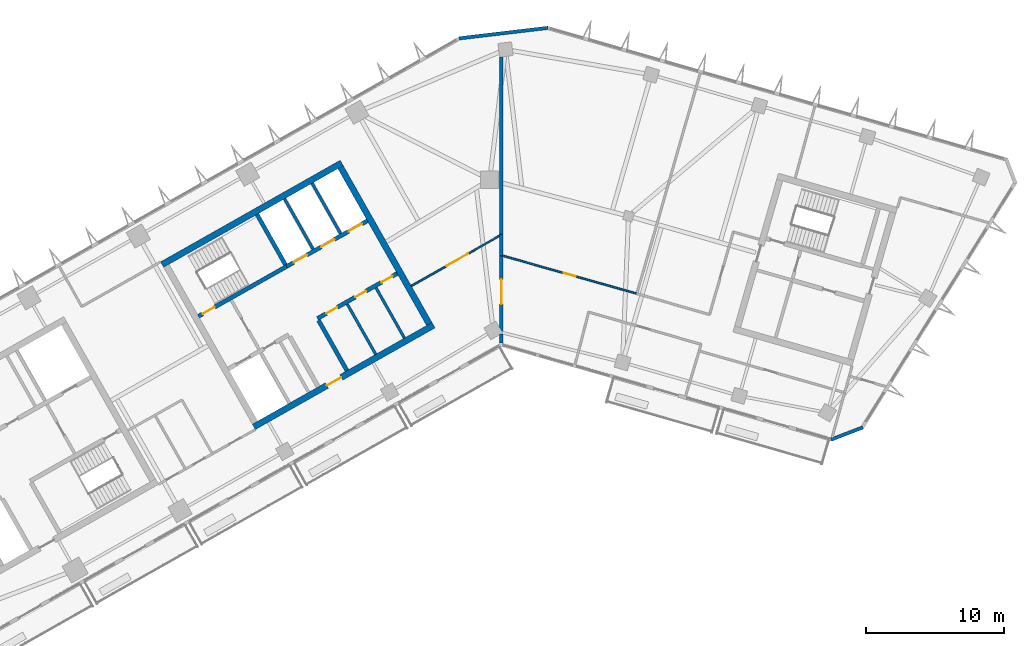
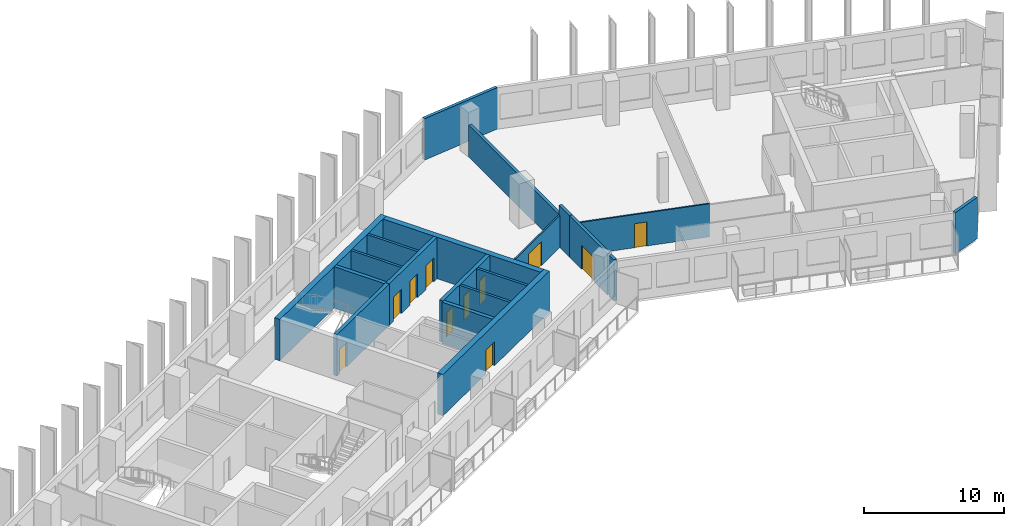
# One storey, part 6 of 12: 20 walls, 11 doors, 11 openings.
"""IFC4 building model written with IfcOpenShell, lengths in metres."""

from ifc_helpers import new_model, si_unit, direction, frame, frame_2d, origin, place, context, subcontext, project, spatial, rectangle, extrude, material, layer, layer_set, type_object, element, fill, save


model = new_model("IFC4")

# Units and contexts
model_context = context("Model", 3, precision=1e-05, world=origin(), true_north=direction((0.0, 1.0)))
body_context = subcontext(model_context, "Body", "Model", "MODEL_VIEW")
ifc_project = project(units=[si_unit("LENGTHUNIT", "METRE"), si_unit("AREAUNIT", "SQUARE_METRE"), si_unit("VOLUMEUNIT", "CUBIC_METRE"), si_unit("PLANEANGLEUNIT", "RADIAN"), si_unit("MASSUNIT", "GRAM", prefix="KILO")], contexts=[model_context])

# Site, building, storey
site_placement = place(None, origin())
site = spatial("IfcSite", under=ifc_project, at=site_placement, CompositionType="ELEMENT")
building_placement = place(site_placement, origin())
building = spatial("IfcBuilding", under=site, at=building_placement, Name="Binnacle Exchange Tower", CompositionType="ELEMENT")
storey_placement = place(building_placement, frame((0.0, 0.0, 246.5)))
storey = spatial("IfcBuildingStorey", under=building, at=storey_placement, Name="L54", CompositionType="ELEMENT", Elevation=246.5)

# Walls
ifc_material_1 = material(Name="Gypsum partition fire rated")
ifc_layer_1 = layer(ifc_material_1, 0.199951171875)
ifc_layer_set_1 = layer_set([ifc_layer_1], Name="Core partition 200")
wall_type_1 = type_object("IfcWallType", Name="Core partition 200", PredefinedType="PARTITIONING", material=ifc_layer_set_1)
wall_1_placement = place(storey_placement, frame((-11.201904296875, 50.96240234375, 0.0), z_axis=(0.0, 0.0, 1.0), x_axis=(0.492453686477, -0.870338650569, 0.0)))
element("IfcWall", 1, at=wall_1_placement, inside=storey, type_object=wall_type_1, Name="Core wall CRWC19", PredefinedType="PARTITIONING", context=body_context, shape_type="SweptSolid", body=[
    extrude(rectangle(XDim=4.2001953125, YDim=0.199951171875, at=frame_2d((2.10009765625, 0.0))), origin(), (0.0, 0.0, 1.0), 3.6201171875),
])
wall_2_placement = place(storey_placement, frame((-9.11279296875, 52.14404296875, 0.0), z_axis=(0.0, 0.0, 1.0), x_axis=(0.492365617434, -0.870388475779, 0.0)))
element("IfcWall", 2, at=wall_2_placement, inside=storey, type_object=wall_type_1, Name="Core wall CRWC22", PredefinedType="PARTITIONING", context=body_context, shape_type="SweptSolid", body=[
    extrude(rectangle(XDim=4.199951171875, YDim=0.199951171875, at=frame_2d((2.10009765625, 0.0))), origin(), (0.0, 0.0, 1.0), 3.6201171875),
])

# Wall, openings, doors
ifc_material_2 = material(Name="Concrete C70/85", Category="concrete")
ifc_layer_2 = layer(ifc_material_2, 0.300048828125)
ifc_layer_set_2 = layer_set([ifc_layer_2], Name="Core wall - front 300")
wall_type_2 = type_object("IfcWallType", Name="Core wall - front 300", PredefinedType="SOLIDWALL", material=ifc_layer_set_2)
wall_3_placement = place(storey_placement, frame((-13.364501953125, 49.910888671875, 0.0), z_axis=(0.0, 0.0, 1.0), x_axis=(0.870352159619, 0.492429810477, 0.0)))
wall_3 = element("IfcWall", 3, at=wall_3_placement, inside=storey, type_object=wall_type_2, Name="Core wall CRWC3", PredefinedType="SOLIDWALL", context=body_context, shape_type="SweptSolid", body=[
    extrude(rectangle(XDim=6.64990234375, YDim=0.300048828125, at=frame_2d((3.324951171875, 0.0))), origin(), (0.0, 0.0, 1.0), 3.6201171875),
])
opening_1_placement = place(wall_3_placement, frame((0.75, 0.0, 0.0)))
opening_1 = element("IfcOpeningElement", 4, at=opening_1_placement, cuts=wall_3, Name="Opening DC18", PredefinedType="OPENING", context=body_context, shape_type="SweptSolid", body=[
    extrude(rectangle(XDim=0.89990234375, YDim=2.10009765625, at=frame_2d((0.449951171875, 1.050048828125))), frame((0.0, 0.159912109375, 0.0), z_axis=(0.0, -1.0, 0.0), x_axis=(1.0, 0.0, 0.0)), (0.0, 0.0, 1.0), 0.320068359375),
])
opening_2_placement = place(wall_3_placement, frame((3.14990234375, 0.0, 0.0)))
opening_2 = element("IfcOpeningElement", 5, at=opening_2_placement, cuts=wall_3, Name="Opening DC19", PredefinedType="OPENING", context=body_context, shape_type="SweptSolid", body=[
    extrude(rectangle(XDim=0.89990234375, YDim=2.10009765625, at=frame_2d((0.449951171875, 1.050048828125))), frame((0.0, 0.159912109375, 0.0), z_axis=(0.0, -1.0, 0.0), x_axis=(1.0, 0.0, 0.0)), (0.0, 0.0, 1.0), 0.320068359375),
])
opening_3_placement = place(wall_3_placement, frame((5.35009765625, 0.0, 0.0)))
opening_3 = element("IfcOpeningElement", 6, at=opening_3_placement, cuts=wall_3, Name="Opening DC20", PredefinedType="OPENING", context=body_context, shape_type="SweptSolid", body=[
    extrude(rectangle(XDim=0.89990234375, YDim=2.10009765625, at=frame_2d((0.449951171875, 1.050048828125))), frame((0.0, 0.159912109375, 0.0), z_axis=(0.0, -1.0, 0.0), x_axis=(1.0, 0.0, 0.0)), (0.0, 0.0, 1.0), 0.320068359375),
])
ifc_material_3 = material(Name="Steel door leaf", Category="steel")
door_type_1 = type_object("IfcDoorType", Name="Fire door 900", OperationType="NOTDEFINED", PredefinedType="DOOR", material=ifc_material_3)
door_1_placement = place(opening_1_placement, frame((0.89990234375, 0.0, 0.0), z_axis=(0.0, 0.0, 1.0), x_axis=(-1.0, 0.0, 0.0)))
door_1 = element("IfcDoor", 7, at=door_1_placement, inside=storey, type_object=door_type_1, Name="Core room door IT STORE", OperationType="SINGLE_SWING_RIGHT", OverallHeight=2.10009765625, OverallWidth=0.89990234375, PredefinedType="DOOR", context=body_context, shape_type="SweptSolid", body=[
    extrude(rectangle(XDim=0.89990234375, YDim=2.10009765625, at=frame_2d((0.449951171875, 1.050048828125))), frame((0.0, 0.02490234375, 0.0), z_axis=(0.0, -1.0, 0.0), x_axis=(1.0, 0.0, 0.0)), (0.0, 0.0, 1.0), 0.050048828125),
])
fill(opening_1, door_1)
door_2_placement = place(opening_2_placement, frame((0.89990234375, 0.0, 0.0), z_axis=(0.0, 0.0, 1.0), x_axis=(-1.0, 0.0, 0.0)))
door_2 = element("IfcDoor", 8, at=door_2_placement, inside=storey, type_object=door_type_1, Name="Core room door UPS CUPBOARD", OperationType="SINGLE_SWING_LEFT", OverallHeight=2.10009765625, OverallWidth=0.89990234375, PredefinedType="DOOR", context=body_context, shape_type="SweptSolid", body=[
    extrude(rectangle(XDim=0.89990234375, YDim=2.10009765625, at=frame_2d((0.449951171875, 1.050048828125))), frame((0.0, 0.02490234375, 0.0), z_axis=(0.0, -1.0, 0.0), x_axis=(1.0, 0.0, 0.0)), (0.0, 0.0, 1.0), 0.050048828125),
])
fill(opening_2, door_2)
door_3_placement = place(opening_3_placement, frame((0.89990234375, 0.0, 0.0), z_axis=(0.0, 0.0, 1.0), x_axis=(-1.0, 0.0, 0.0)))
door_3 = element("IfcDoor", 9, at=door_3_placement, inside=storey, type_object=door_type_1, Name="Core room door FIBRE ENTRY ROOM", OperationType="SINGLE_SWING_LEFT", OverallHeight=2.10009765625, OverallWidth=0.89990234375, PredefinedType="DOOR", context=body_context, shape_type="SweptSolid", body=[
    extrude(rectangle(XDim=0.89990234375, YDim=2.10009765625, at=frame_2d((0.449951171875, 1.050048828125))), frame((0.0, 0.02490234375, 0.0), z_axis=(0.0, -1.0, 0.0), x_axis=(1.0, 0.0, 0.0)), (0.0, 0.0, 1.0), 0.050048828125),
])
fill(opening_3, door_3)

wall_4_placement = place(storey_placement, frame((-15.6181640625, 53.69140625, 0.0), z_axis=(0.0, 0.0, 1.0), x_axis=(0.870358646884, 0.492418344291, 0.0)))
wall_4 = element("IfcWall", 10, at=wall_4_placement, inside=storey, type_object=wall_type_2, Name="Core wall CRWC5", PredefinedType="SOLIDWALL", context=body_context, shape_type="SweptSolid", body=[
    extrude(rectangle(XDim=6.749755859375, YDim=0.300048828125, at=frame_2d((3.375, 0.0))), origin(), (0.0, 0.0, 1.0), 3.6201171875),
])
opening_4_placement = place(wall_4_placement, frame((0.60009765625, 0.0, 0.0)))
opening_4 = element("IfcOpeningElement", 11, at=opening_4_placement, cuts=wall_4, Name="Opening LD5", PredefinedType="OPENING", context=body_context, shape_type="SweptSolid", body=[
    extrude(rectangle(XDim=1.10009765625, YDim=2.10009765625, at=frame_2d((0.550048828125, 1.050048828125))), frame((0.0, 0.159912109375, 0.0), z_axis=(0.0, -1.0, 0.0), x_axis=(1.0, 0.0, 0.0)), (0.0, 0.0, 1.0), 0.320068359375),
])
opening_5_placement = place(wall_4_placement, frame((2.89990234375, 0.0, 0.0)))
opening_5 = element("IfcOpeningElement", 12, at=opening_5_placement, cuts=wall_4, Name="Opening LD6", PredefinedType="OPENING", context=body_context, shape_type="SweptSolid", body=[
    extrude(rectangle(XDim=1.10009765625, YDim=2.10009765625, at=frame_2d((0.550048828125, 1.050048828125))), frame((0.0, 0.159912109375, 0.0), z_axis=(0.0, -1.0, 0.0), x_axis=(1.0, 0.0, 0.0)), (0.0, 0.0, 1.0), 0.320068359375),
])
opening_6_placement = place(wall_4_placement, frame((5.199951171875, 0.0, 0.0)))
opening_6 = element("IfcOpeningElement", 13, at=opening_6_placement, cuts=wall_4, Name="Opening LD7", PredefinedType="OPENING", context=body_context, shape_type="SweptSolid", body=[
    extrude(rectangle(XDim=1.10009765625, YDim=2.10009765625, at=frame_2d((0.550048828125, 1.050048828125))), frame((0.0, 0.159912109375, 0.0), z_axis=(0.0, -1.0, 0.0), x_axis=(1.0, 0.0, 0.0)), (0.0, 0.0, 1.0), 0.320068359375),
])
door_type_2 = type_object("IfcDoorType", Name="Fire door - lift landing 1100", OperationType="NOTDEFINED", PredefinedType="DOOR", material=ifc_material_3)
door_4_placement = place(opening_4_placement, origin())
door_4 = element("IfcDoor", 14, at=door_4_placement, inside=storey, type_object=door_type_2, Name="Landing door LD5 L54", OperationType="DOUBLE_DOOR_SLIDING", OverallHeight=2.10009765625, OverallWidth=1.10009765625, PredefinedType="DOOR", context=body_context, shape_type="SweptSolid", body=[
    extrude(rectangle(XDim=1.10009765625, YDim=2.10009765625, at=frame_2d((0.550048828125, 1.050048828125))), frame((0.0, 0.02490234375, 0.0), z_axis=(0.0, -1.0, 0.0), x_axis=(1.0, 0.0, 0.0)), (0.0, 0.0, 1.0), 0.050048828125),
])
fill(opening_4, door_4)
door_5_placement = place(opening_5_placement, origin())
door_5 = element("IfcDoor", 15, at=door_5_placement, inside=storey, type_object=door_type_2, Name="Landing door LD6 L54", OperationType="DOUBLE_DOOR_SLIDING", OverallHeight=2.10009765625, OverallWidth=1.10009765625, PredefinedType="DOOR", context=body_context, shape_type="SweptSolid", body=[
    extrude(rectangle(XDim=1.10009765625, YDim=2.10009765625, at=frame_2d((0.550048828125, 1.050048828125))), frame((0.0, 0.02490234375, 0.0), z_axis=(0.0, -1.0, 0.0), x_axis=(1.0, 0.0, 0.0)), (0.0, 0.0, 1.0), 0.050048828125),
])
fill(opening_5, door_5)
door_6_placement = place(opening_6_placement, origin())
door_6 = element("IfcDoor", 16, at=door_6_placement, inside=storey, type_object=door_type_2, Name="Landing door LD7 L54", OperationType="DOUBLE_DOOR_SLIDING", OverallHeight=2.10009765625, OverallWidth=1.10009765625, PredefinedType="DOOR", context=body_context, shape_type="SweptSolid", body=[
    extrude(rectangle(XDim=1.10009765625, YDim=2.10009765625, at=frame_2d((0.550048828125, 1.050048828125))), frame((0.0, 0.02490234375, 0.0), z_axis=(0.0, -1.0, 0.0), x_axis=(1.0, 0.0, 0.0)), (0.0, 0.0, 1.0), 0.050048828125),
])
fill(opening_6, door_6)

# Wall
wall_5_placement = place(storey_placement, frame((-13.29052734375, 49.780517578125, 0.0), z_axis=(0.0, 0.0, 1.0), x_axis=(0.492409653846, -0.870363563575, 0.0)))
element("IfcWall", 17, at=wall_5_placement, inside=storey, type_object=wall_type_2, Name="Core wall CRWC15", PredefinedType="SOLIDWALL", context=body_context, shape_type="SweptSolid", body=[
    extrude(rectangle(XDim=4.199951171875, YDim=0.300048828125, at=frame_2d((2.10009765625, 0.0))), origin(), (0.0, 0.0, 1.0), 3.6201171875),
])

# Wall, opening, door
ifc_layer_3 = layer(ifc_material_2, 0.449951171875)
ifc_layer_set_3 = layer_set([ifc_layer_3], Name="Core wall - outer 450")
wall_type_3 = type_object("IfcWallType", Name="Core wall - outer 450", PredefinedType="SOLIDWALL", material=ifc_layer_set_3)
wall_6_placement = place(storey_placement, frame((-17.987548828125, 42.0390625, 0.0), z_axis=(0.0, 0.0, 1.0), x_axis=(0.870360574057, 0.492414937962, 0.0)))
wall_6 = element("IfcWall", 18, at=wall_6_placement, inside=storey, type_object=wall_type_3, Name="Core wall CRWC1", PredefinedType="SOLIDWALL", context=body_context, shape_type="SweptSolid", body=[
    extrude(rectangle(XDim=15.0, YDim=0.449951171875, at=frame_2d((7.5, 0.0))), origin(), (0.0, 0.0, 1.0), 3.6201171875),
])
opening_7_placement = place(wall_6_placement, frame((6.10009765625, 0.0, 0.0)))
opening_7 = element("IfcOpeningElement", 19, at=opening_7_placement, cuts=wall_6, Name="Opening DC7", PredefinedType="OPENING", context=body_context, shape_type="SweptSolid", body=[
    extrude(rectangle(XDim=1.199951171875, YDim=2.10009765625, at=frame_2d((0.60009765625, 1.050048828125))), frame((0.0, 0.23486328125, 0.0), z_axis=(0.0, -1.0, 0.0), x_axis=(1.0, 0.0, 0.0)), (0.0, 0.0, 1.0), 0.469970703125),
])
door_type_3 = type_object("IfcDoorType", Name="Fire door 1200", OperationType="NOTDEFINED", PredefinedType="DOOR", material=ifc_material_3)
door_7_placement = place(opening_7_placement, frame((1.199951171875, 0.0, 0.0), z_axis=(0.0, 0.0, 1.0), x_axis=(-1.0, 0.0, 0.0)))
door_7 = element("IfcDoor", 20, at=door_7_placement, inside=storey, type_object=door_type_3, Name="Lift lobby entrance door core C", OperationType="SINGLE_SWING_RIGHT", OverallHeight=2.10009765625, OverallWidth=1.199951171875, PredefinedType="DOOR", context=body_context, shape_type="SweptSolid", body=[
    extrude(rectangle(XDim=1.199951171875, YDim=2.10009765625, at=frame_2d((0.60009765625, 1.050048828125))), frame((0.0, 0.02490234375, 0.0), z_axis=(0.0, -1.0, 0.0), x_axis=(1.0, 0.0, 0.0)), (0.0, 0.0, 1.0), 0.050048828125),
])
fill(opening_7, door_7)

# Walls
wall_7_placement = place(storey_placement, frame((-24.659912109375, 53.832275390625, 0.0), z_axis=(0.0, 0.0, 1.0), x_axis=(0.870353598469, 0.492427267353, 0.0)))
element("IfcWall", 21, at=wall_7_placement, inside=storey, type_object=wall_type_3, Name="Core wall CRWC6", PredefinedType="SOLIDWALL", context=body_context, shape_type="SweptSolid", body=[
    extrude(rectangle(XDim=15.000244140625, YDim=0.449951171875, at=frame_2d((7.5, 0.0))), origin(), (0.0, 0.0, 1.0), 3.6201171875),
])
wall_8_placement = place(storey_placement, frame((-11.689453125, 60.912109375, 0.0), z_axis=(0.0, 0.0, 1.0), x_axis=(0.492421378713, -0.870356930107, 0.0)))
element("IfcWall", 22, at=wall_8_placement, inside=storey, type_object=wall_type_3, Name="Core wall CRWC24", PredefinedType="SOLIDWALL", context=body_context, shape_type="SweptSolid", body=[
    extrude(rectangle(XDim=13.099853515625, YDim=0.449951171875, at=frame_2d((6.5498046875, 0.0))), origin(), (0.0, 0.0, 1.0), 3.6201171875),
])

# Wall, opening, door
ifc_layer_4 = layer(ifc_material_2, 0.300048828125)
ifc_layer_set_4 = layer_set([ifc_layer_4], Name="Core wall - stair 300")
wall_type_4 = type_object("IfcWallType", Name="Core wall - stair 300", PredefinedType="SOLIDWALL", material=ifc_layer_set_4)
wall_9_placement = place(storey_placement, frame((-22.015380859375, 50.072021484375, 0.0), z_axis=(0.0, 0.0, 1.0), x_axis=(0.870354900257, 0.492424966466, 0.0)))
wall_9 = element("IfcWall", 23, at=wall_9_placement, inside=storey, type_object=wall_type_4, Name="Core wall CRWC4", PredefinedType="SOLIDWALL", context=body_context, shape_type="SweptSolid", body=[
    extrude(rectangle(XDim=7.35009765625, YDim=0.300048828125, at=frame_2d((3.675048828125, 0.0))), origin(), (0.0, 0.0, 1.0), 3.6201171875),
])
opening_8_placement = place(wall_9_placement, frame((0.35009765625, 0.0, 0.0)))
opening_8 = element("IfcOpeningElement", 24, at=opening_8_placement, cuts=wall_9, Name="Opening DC1", PredefinedType="OPENING", context=body_context, shape_type="SweptSolid", body=[
    extrude(rectangle(XDim=1.0, YDim=2.10009765625, at=frame_2d((0.5, 1.050048828125))), frame((0.0, 0.159912109375, 0.0), z_axis=(0.0, -1.0, 0.0), x_axis=(1.0, 0.0, 0.0)), (0.0, 0.0, 1.0), 0.320068359375),
])
door_type_4 = type_object("IfcDoorType", Name="Fire door 1000", OperationType="NOTDEFINED", PredefinedType="DOOR", material=ifc_material_3)
door_8_placement = place(opening_8_placement, origin())
door_8 = element("IfcDoor", 25, at=door_8_placement, inside=storey, type_object=door_type_4, Name="Stair door ST-C1", OperationType="SINGLE_SWING_LEFT", OverallHeight=2.10009765625, OverallWidth=1.0, PredefinedType="DOOR", context=body_context, shape_type="SweptSolid", body=[
    extrude(rectangle(XDim=1.0, YDim=2.10009765625, at=frame_2d((0.5, 1.050048828125))), frame((0.0, 0.02490234375, 0.0), z_axis=(0.0, -1.0, 0.0), x_axis=(1.0, 0.0, 0.0)), (0.0, 0.0, 1.0), 0.050048828125),
])
fill(opening_8, door_8)

# Walls
wall_10_placement = place(storey_placement, frame((-17.76025390625, 57.477294921875, 0.0), z_axis=(0.0, 0.0, 1.0), x_axis=(0.49243456751, -0.870349468157, 0.0)))
element("IfcWall", 26, at=wall_10_placement, inside=storey, type_object=wall_type_4, Name="Core wall CRWC14", PredefinedType="SOLIDWALL", context=body_context, shape_type="SweptSolid", body=[
    extrude(rectangle(XDim=4.19970703125, YDim=0.300048828125, at=frame_2d((2.099853515625, 0.0))), origin(), (0.0, 0.0, 1.0), 3.6201171875),
])
ifc_material_4 = material(Name="Bronze aluminium cladding", Category="aluminium")
ifc_layer_5 = layer(ifc_material_4, 0.25)
ifc_layer_set_5 = layer_set([ifc_layer_5], Name="External wall - window wall 250")
wall_type_5 = type_object("IfcWallType", Name="External wall - window wall 250", PredefinedType="STANDARD", material=ifc_layer_set_5)
wall_11_placement = place(storey_placement, frame((26.27001953125, 41.993408203125, 0.0), z_axis=(0.0, 0.0, 1.0), x_axis=(-0.933573798066, -0.358385216722, 0.0)))
element("IfcWall", 27, at=wall_11_placement, inside=storey, type_object=wall_type_5, Name="External wall EW-G03 L54", PredefinedType="STANDARD", context=body_context, shape_type="SweptSolid", body=[
    extrude(rectangle(XDim=2.479736328125, YDim=0.25, at=frame_2d((1.23974609375, 0.0))), origin(), (0.0, 0.0, 1.0), 3.6201171875),
])
wall_12_placement = place(storey_placement, frame((-3.0712890625, 70.2734375, 0.0), z_axis=(0.0, 0.0, 1.0), x_axis=(0.993064524962, 0.11757061394, 0.0)))
element("IfcWall", 28, at=wall_12_placement, inside=storey, type_object=wall_type_5, Name="External wall EW-G07 L54", PredefinedType="STANDARD", context=body_context, shape_type="SweptSolid", body=[
    extrude(rectangle(XDim=6.505859375, YDim=0.25, at=frame_2d((3.2529296875, 0.0))), origin(), (0.0, 0.0, 1.0), 3.6201171875),
])
ifc_material_5 = material(Name="Concrete fire wall C30/37", Category="concrete")
ifc_layer_6 = layer(ifc_material_5, 0.25)
ifc_layer_set_6 = layer_set([ifc_layer_6], Name="Fire wall - compartment 250")
wall_type_6 = type_object("IfcWallType", Name="Fire wall - compartment 250", PredefinedType="PARTITIONING", material=ifc_layer_set_6)
wall_13_placement = place(storey_placement, frame((0.0, 48.1298828125, 0.0), z_axis=(0.0, 0.0, 1.0), x_axis=(0.0, 1.0, 0.0)))
element("IfcWall", 29, at=wall_13_placement, inside=storey, type_object=wall_type_6, Name="Fire Wall W16", PredefinedType="PARTITIONING", context=body_context, shape_type="SweptSolid", body=[
    extrude(rectangle(XDim=0.674072265625, YDim=0.25, at=frame_2d((0.3369140625, 0.0))), origin(), (0.0, 0.0, 1.0), 3.6201171875),
])

# Wall, opening, door
wall_14_placement = place(storey_placement, frame((0.0, 49.014892578125, 0.0), z_axis=(0.0, 0.0, 1.0), x_axis=(0.0, 1.0, 0.0)))
wall_14 = element("IfcWall", 30, at=wall_14_placement, inside=storey, type_object=wall_type_6, Name="Fire Wall W17", PredefinedType="PARTITIONING", context=body_context, shape_type="SweptSolid", body=[
    extrude(rectangle(XDim=5.485107421875, YDim=0.25, at=frame_2d((2.74267578125, 0.0))), origin(), (0.0, 0.0, 1.0), 3.6201171875),
])
opening_9_placement = place(wall_14_placement, frame((1.949951171875, 0.0, 0.0)))
opening_9 = element("IfcOpeningElement", 31, at=opening_9_placement, cuts=wall_14, Name="Opening DL52-12", PredefinedType="OPENING", context=body_context, shape_type="SweptSolid", body=[
    extrude(rectangle(XDim=1.800048828125, YDim=2.10009765625, at=frame_2d((0.89990234375, 1.050048828125))), frame((0.0, 0.135009765625, 0.0), z_axis=(0.0, -1.0, 0.0), x_axis=(1.0, 0.0, 0.0)), (0.0, 0.0, 1.0), 0.27001953125),
])
door_type_5 = type_object("IfcDoorType", Name="Fire door 1800", OperationType="NOTDEFINED", PredefinedType="DOOR", material=ifc_material_3)
door_9_placement = place(opening_9_placement, origin())
door_9 = element("IfcDoor", 32, at=door_9_placement, inside=storey, type_object=door_type_5, Name="Door DL52-12", OperationType="DOUBLE_DOOR_SINGLE_SWING", OverallHeight=2.10009765625, OverallWidth=1.800048828125, PredefinedType="DOOR", context=body_context, shape_type="SweptSolid", body=[
    extrude(rectangle(XDim=1.800048828125, YDim=2.10009765625, at=frame_2d((0.89990234375, 1.050048828125))), frame((0.0, 0.02490234375, 0.0), z_axis=(0.0, -1.0, 0.0), x_axis=(1.0, 0.0, 0.0)), (0.0, 0.0, 1.0), 0.050048828125),
])
fill(opening_9, door_9)

# Walls
wall_15_placement = place(storey_placement, frame((0.0, 54.5, 0.0), z_axis=(0.0, 0.0, 1.0), x_axis=(0.0, 1.0, 0.0)))
element("IfcWall", 33, at=wall_15_placement, inside=storey, type_object=wall_type_6, Name="Fire Wall W18", PredefinedType="PARTITIONING", context=body_context, shape_type="SweptSolid", body=[
    extrude(rectangle(XDim=1.5, YDim=0.25, at=frame_2d((0.75, 0.0))), origin(), (0.0, 0.0, 1.0), 3.6201171875),
])
wall_16_placement = place(storey_placement, frame((0.0, 56.0, 0.0), z_axis=(0.0, 0.0, 1.0), x_axis=(0.0, 1.0, 0.0)))
element("IfcWall", 34, at=wall_16_placement, inside=storey, type_object=wall_type_6, Name="Fire Wall W20", PredefinedType="PARTITIONING", context=body_context, shape_type="SweptSolid", body=[
    extrude(rectangle(XDim=12.925048828125, YDim=0.25, at=frame_2d((6.46240234375, 0.0))), origin(), (0.0, 0.0, 1.0), 2.800048828125),
])

# Wall, opening, door
ifc_material_6 = material(Name="Gypsum partition")
ifc_layer_7 = layer(ifc_material_6, 0.125)
ifc_layer_set_7 = layer_set([ifc_layer_7], Name="Partition 125")
wall_type_7 = type_object("IfcWallType", Name="Partition 125", PredefinedType="PARTITIONING", material=ifc_layer_set_7)
wall_17_placement = place(storey_placement, frame((-6.544921875, 52.27587890625, 0.0), z_axis=(0.0, 0.0, 1.0), x_axis=(0.869147493537, 0.49455296428, 0.0)))
wall_17 = element("IfcWall", 35, at=wall_17_placement, inside=storey, type_object=wall_type_7, Name="Partition W15", PredefinedType="PARTITIONING", context=body_context, shape_type="SweptSolid", body=[
    extrude(rectangle(XDim=7.5302734375, YDim=0.125, at=frame_2d((3.76513671875, 0.0))), origin(), (0.0, 0.0, 1.0), 2.800048828125),
])
opening_10_placement = place(wall_17_placement, frame((2.949951171875, 0.0, 0.0)))
opening_10 = element("IfcOpeningElement", 36, at=opening_10_placement, cuts=wall_17, Name="Opening DL52-05", PredefinedType="OPENING", context=body_context, shape_type="SweptSolid", body=[
    extrude(rectangle(XDim=1.800048828125, YDim=2.10009765625, at=frame_2d((0.89990234375, 1.050048828125))), frame((0.0, 0.072509765625, 0.0), z_axis=(0.0, -1.0, 0.0), x_axis=(1.0, 0.0, 0.0)), (0.0, 0.0, 1.0), 0.14501953125),
])
ifc_material_7 = material(Name="Timber door leaf", Category="wood")
door_type_6 = type_object("IfcDoorType", Name="Double door 1800", OperationType="NOTDEFINED", PredefinedType="DOOR", material=ifc_material_7)
door_10_placement = place(opening_10_placement, origin())
door_10 = element("IfcDoor", 37, at=door_10_placement, inside=storey, type_object=door_type_6, Name="Door DL52-05", OperationType="DOUBLE_DOOR_SINGLE_SWING", OverallHeight=2.10009765625, OverallWidth=1.800048828125, PredefinedType="DOOR", context=body_context, shape_type="SweptSolid", body=[
    extrude(rectangle(XDim=1.800048828125, YDim=2.10009765625, at=frame_2d((0.89990234375, 1.050048828125))), frame((0.0, 0.02490234375, 0.0), z_axis=(0.0, -1.0, 0.0), x_axis=(1.0, 0.0, 0.0)), (0.0, 0.0, 1.0), 0.050048828125),
])
fill(opening_10, door_10)

wall_18_placement = place(storey_placement, frame((0.0, 54.5, 0.0), z_axis=(0.0, 0.0, 1.0), x_axis=(0.962263108276, -0.272120764462, 0.0)))
wall_18 = element("IfcWall", 38, at=wall_18_placement, inside=storey, type_object=wall_type_7, Name="Partition W19", PredefinedType="PARTITIONING", context=body_context, shape_type="SweptSolid", body=[
    extrude(rectangle(XDim=10.234130859375, YDim=0.125, at=frame_2d((5.1171875, 0.0))), origin(), (0.0, 0.0, 1.0), 2.89990234375),
])
opening_11_placement = place(wall_18_placement, frame((4.699951171875, 0.0, 0.0)))
opening_11 = element("IfcOpeningElement", 39, at=opening_11_placement, cuts=wall_18, Name="Opening DL52-06", PredefinedType="OPENING", context=body_context, shape_type="SweptSolid", body=[
    extrude(rectangle(XDim=0.89990234375, YDim=2.10009765625, at=frame_2d((0.449951171875, 1.050048828125))), frame((0.0, 0.072509765625, 0.0), z_axis=(0.0, -1.0, 0.0), x_axis=(1.0, 0.0, 0.0)), (0.0, 0.0, 1.0), 0.14501953125),
])
door_type_7 = type_object("IfcDoorType", Name="Door 900", OperationType="NOTDEFINED", PredefinedType="DOOR", material=ifc_material_7)
door_11_placement = place(opening_11_placement, origin())
door_11 = element("IfcDoor", 40, at=door_11_placement, inside=storey, type_object=door_type_7, Name="Door DL52-06", OperationType="SINGLE_SWING_RIGHT", OverallHeight=2.10009765625, OverallWidth=0.89990234375, PredefinedType="DOOR", context=body_context, shape_type="SweptSolid", body=[
    extrude(rectangle(XDim=0.89990234375, YDim=2.10009765625, at=frame_2d((0.449951171875, 1.050048828125))), frame((0.0, 0.02490234375, 0.0), z_axis=(0.0, -1.0, 0.0), x_axis=(1.0, 0.0, 0.0)), (0.0, 0.0, 1.0), 0.050048828125),
])
fill(opening_11, door_11)

# Walls
ifc_material_8 = material(Name="Masonry block wall", Category="masonry")
ifc_layer_8 = layer(ifc_material_8, 0.199951171875)
ifc_layer_set_8 = layer_set([ifc_layer_8], Name="Shaft wall 200")
wall_type_8 = type_object("IfcWallType", Name="Shaft wall 200", PredefinedType="SOLIDWALL", material=ifc_layer_set_8)
for number, where, z_axis, x_axis, name in (
    (41, (-15.75830078125, 58.60986328125, 0.0), (0.0, 0.0, 1.0), (0.492409653846, -0.870363563575, 0.0), "Core wall CRWC18"),
    (42, (-13.756591796875, 59.742431640625, 0.0), (0.0, 0.0, 1.0), (0.492409653846, -0.870363563575, 0.0), "Core wall CRWC21"),
):
    element("IfcWall", number, at=place(storey_placement, frame(where, z_axis=z_axis, x_axis=x_axis)), inside=storey, type_object=wall_type_8, Name=name, PredefinedType="SOLIDWALL", context=body_context, shape_type="SweptSolid", body=[
        extrude(rectangle(XDim=4.199951171875, YDim=0.199951171875, at=frame_2d((2.10009765625, 0.0))), origin(), (0.0, 0.0, 1.0), 3.6201171875),
    ])

save(model, "model.ifc")
